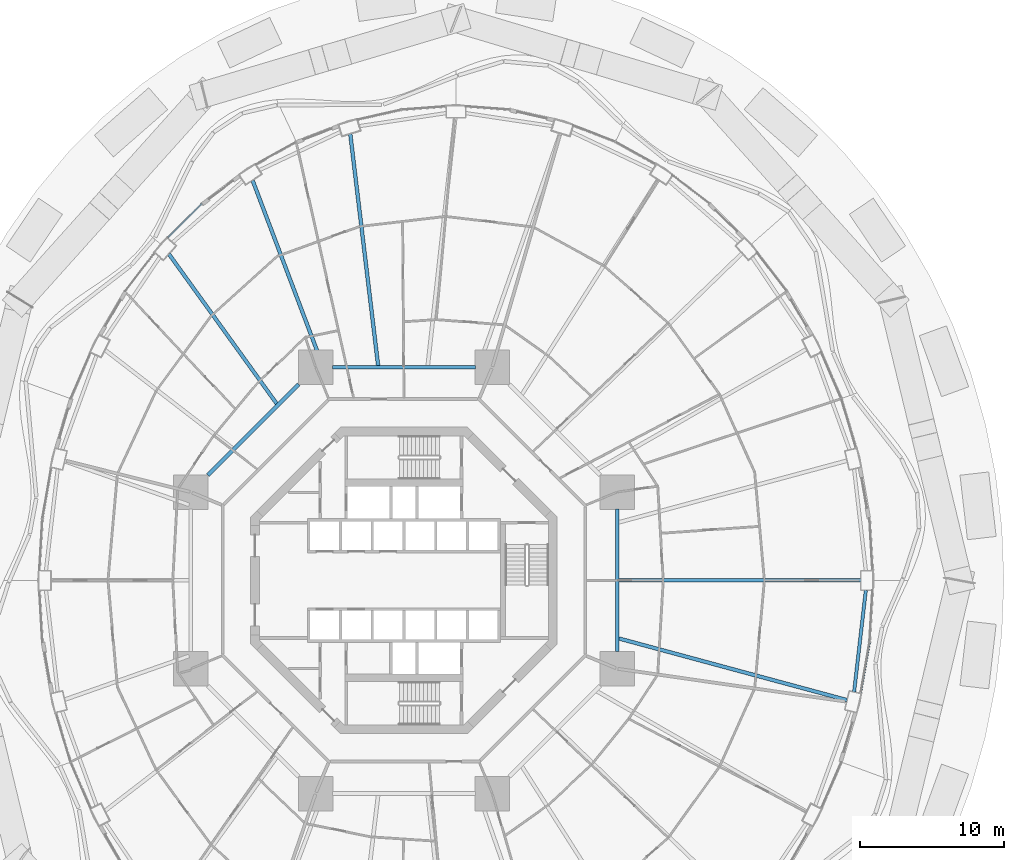
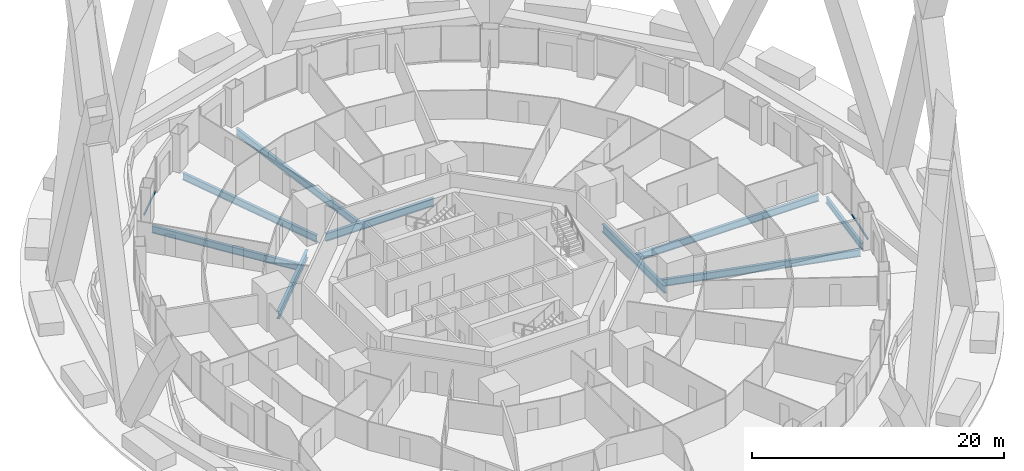
# One storey, part 20 of 42: 9 beams, 2 members, 2 elements without a shape of their own.
"""IFC4 building model written with IfcOpenShell, lengths in metres."""

from ifc_helpers import new_model, si_unit, direction, frame, origin, origin_2d, place, context, subcontext, project, spatial, rectangle, i_section, extrude, material, layer, layer_set, material_profile, profile_set, type_object, element, aggregate, save


model = new_model("IFC4")

# Units and contexts
model_context = context("Model", 3, precision=1e-05, world=origin(), true_north=direction((0.0, 1.0)))
body_context = subcontext(model_context, "Body", "Model", "MODEL_VIEW")
ifc_project = project(units=[si_unit("LENGTHUNIT", "METRE"), si_unit("AREAUNIT", "SQUARE_METRE"), si_unit("VOLUMEUNIT", "CUBIC_METRE"), si_unit("PLANEANGLEUNIT", "RADIAN"), si_unit("MASSUNIT", "GRAM", prefix="KILO")], contexts=[model_context])

# Site, building, storey
site_placement = place(None, origin())
site = spatial("IfcSite", under=ifc_project, at=site_placement, CompositionType="ELEMENT")
building_placement = place(site_placement, origin())
building = spatial("IfcBuilding", under=site, at=building_placement, Name="Nagisa Residences", CompositionType="ELEMENT")
storey_placement = place(building_placement, frame((0.0, 0.0, 27.0)))
storey = spatial("IfcBuildingStorey", under=building, at=storey_placement, Name="L05", CompositionType="ELEMENT", Elevation=27.0)

# Curtain wall, member
ifc_material_1 = material(Name="Concrete-coloured aluminium curtain wall system", Category="concrete")
ifc_layer = layer(ifc_material_1, 0.159912109375)
ifc_layer_set = layer_set([ifc_layer], Name="CW1 CURTAIN WALL")
curtain_wall_type = type_object("IfcCurtainWallType", Name="CW1 CURTAIN WALL", PredefinedType="NOTDEFINED", material=ifc_layer_set)
curtain_wall_1_placement = place(storey_placement, origin())
curtain_wall_1 = element("IfcCurtainWall", 1, at=curtain_wall_1_placement, inside=storey, type_object=curtain_wall_type, Name="cw:CW1:L05:17", PredefinedType="NOTDEFINED")
ifc_material_2 = material(Name="Concrete-coloured aluminium", Category="concrete")
ifc_material_profile_1 = material_profile(ifc_material_2, rectangle(XDim=0.1201171875, YDim=0.14990234375, at=origin_2d()), Name="CW1 TRANSOM 120x150")
ifc_profile_set_1 = profile_set([ifc_material_profile_1], Name="Concrete-coloured aluminium")
member_type = type_object("IfcMemberType", Name="CW1 TRANSOM 120x150", PredefinedType="USERDEFINED", material=ifc_profile_set_1)
member_1_placement = place(storey_placement, frame((-13.99755859375, 26.1240234375, 0.074951171875), z_axis=(-0.707839761606, -0.706373040177, 0.0), x_axis=(0.706373040177, -0.707839761606, 0.0)))
member_1 = element("IfcMember", 2, at=member_1_placement, type_object=member_type, Name="CW1 transom", ObjectType="TRANSOM", PredefinedType="USERDEFINED", context=body_context, shape_type="SweptSolid", body=[
    extrude(rectangle(XDim=0.1201171875, YDim=0.14990234375, at=origin_2d()), origin(), (0.0, 0.0, 1.0), 3.3291015625),
])
aggregate(curtain_wall_1, [member_1])

curtain_wall_2_placement = place(storey_placement, origin())
curtain_wall_2 = element("IfcCurtainWall", 3, at=curtain_wall_2_placement, inside=storey, type_object=curtain_wall_type, Name="cw:CW1:L05:46", PredefinedType="NOTDEFINED")
member_2_placement = place(storey_placement, frame((31.653564453125, -7.837646484375, 0.074951171875), z_axis=(0.172228889385, 0.985056957572, 0.0), x_axis=(-0.985056957572, 0.172228889385, 0.0)))
member_2 = element("IfcMember", 4, at=member_2_placement, type_object=member_type, Name="CW1 transom", ObjectType="TRANSOM", PredefinedType="USERDEFINED", context=body_context, shape_type="SweptSolid", body=[
    extrude(rectangle(XDim=0.1201171875, YDim=0.14990234375, at=origin_2d()), origin(), (0.0, 0.0, 1.0), 3.59765625),
])
aggregate(curtain_wall_2, [member_2])

# Beams
ifc_material_3 = material(Name="Steel ASTM A572 Gr 50", Category="steel")
ifc_material_profile_2 = material_profile(ifc_material_3, i_section(OverallWidth=0.264892578125, OverallDepth=0.7529296875, WebThickness=0.01318359375, FlangeThickness=0.01708984375, at=origin_2d()), Name="W760x147")
ifc_profile_set_2 = profile_set([ifc_material_profile_2], Name="Steel ASTM A572 Gr 50")
beam_type_1 = type_object("IfcBeamType", Name="Inner ring beam W760x147", PredefinedType="BEAM", material=ifc_profile_set_2)
beam_1_placement = place(storey_placement, frame((4.94287109375, 14.781982421875, -0.636474609375), z_axis=(-1.0, 0.0, 0.0), x_axis=(0.0, -1.0, 0.0)))
element("IfcBeam", 5, at=beam_1_placement, inside=storey, type_object=beam_type_1, Name="beam:L05:ib2", PredefinedType="BEAM", context=body_context, shape_type="SweptSolid", body=[
    extrude(i_section(OverallWidth=0.264892578125, OverallDepth=0.7529296875, WebThickness=0.01318359375, FlangeThickness=0.01708984375, at=origin_2d()), origin(), (0.0, 0.0, 1.0), 9.8857421875),
])
beam_2_placement = place(storey_placement, frame((-7.308837890625, 13.59619140625, -0.636474609375), z_axis=(-0.707106781187, -0.707106781187, 0.0), x_axis=(0.707106781187, -0.707106781187, 0.0)))
element("IfcBeam", 6, at=beam_2_placement, inside=storey, type_object=beam_type_1, Name="beam:L05:ib3", PredefinedType="BEAM", context=body_context, shape_type="SweptSolid", body=[
    extrude(i_section(OverallWidth=0.264892578125, OverallDepth=0.7529296875, WebThickness=0.01318359375, FlangeThickness=0.01708984375, at=origin_2d()), origin(), (0.0, 0.0, 1.0), 8.8916015625),
])
beam_3_placement = place(storey_placement, frame((14.781982421875, -4.94287109375, -0.636474609375), z_axis=(0.0, 1.0, 0.0), x_axis=(-1.0, 0.0, 0.0)))
element("IfcBeam", 7, at=beam_3_placement, inside=storey, type_object=beam_type_1, Name="beam:L05:ib8", PredefinedType="BEAM", context=body_context, shape_type="SweptSolid", body=[
    extrude(i_section(OverallWidth=0.264892578125, OverallDepth=0.7529296875, WebThickness=0.01318359375, FlangeThickness=0.01708984375, at=origin_2d()), origin(), (0.0, 0.0, 1.0), 9.8857421875),
])
ifc_material_4 = material(Name="Steel ASTM A572 Gr 50", Category="steel")
ifc_material_profile_3 = material_profile(ifc_material_4, i_section(OverallWidth=0.22802734375, OverallDepth=0.60302734375, WebThickness=0.010498046875, FlangeThickness=0.014892578125, at=origin_2d()), Name="W610x101")
ifc_profile_set_3 = profile_set([ifc_material_profile_3], Name="Steel ASTM A572 Gr 50")
beam_type_2 = type_object("IfcBeamType", Name="Perimeter ring beam W610x101", PredefinedType="BEAM", material=ifc_profile_set_3)
beam_4_placement = place(storey_placement, frame((31.20751953125, -7.7314453125, -0.5615234375), z_axis=(0.114673717321, 0.993403210462, 0.0), x_axis=(-0.993403210462, 0.114673717321, 0.0)))
element("IfcBeam", 8, at=beam_4_placement, inside=storey, type_object=beam_type_2, Name="beam:L05:pb24", PredefinedType="BEAM", context=body_context, shape_type="SweptSolid", body=[
    extrude(i_section(OverallWidth=0.22802734375, OverallDepth=0.60302734375, WebThickness=0.010498046875, FlangeThickness=0.014892578125, at=origin_2d()), origin(), (0.0, 0.0, 1.0), 7.09814453125),
])
ifc_material_5 = material(Name="Steel ASTM A572 Gr 50", Category="steel")
ifc_material_profile_4 = material_profile(ifc_material_5, i_section(OverallWidth=0.25390625, OverallDepth=0.68408203125, WebThickness=0.012451171875, FlangeThickness=0.018798828125, at=origin_2d()), Name="W690x140")
ifc_profile_set_4 = profile_set([ifc_material_profile_4], Name="Steel ASTM A572 Gr 50")
beam_type_3 = type_object("IfcBeamType", Name="Radial beam W690x140", PredefinedType="BEAM", material=ifc_profile_set_4)
beam_5_placement = place(storey_placement, frame((31.669921875, 0.0, -0.60205078125), z_axis=(-1.0, 0.0, 0.0), x_axis=(0.0, -1.0, 0.0)))
element("IfcBeam", 9, at=beam_5_placement, inside=storey, type_object=beam_type_3, Name="beam:L05:rb01", PredefinedType="BEAM", context=body_context, shape_type="SweptSolid", body=[
    extrude(i_section(OverallWidth=0.25390625, OverallDepth=0.68408203125, WebThickness=0.012451171875, FlangeThickness=0.018798828125, at=origin_2d()), origin(), (0.0, 0.0, 1.0), 16.775390625),
])
beam_6_placement = place(storey_placement, frame((-3.72412109375, 30.958740234375, -0.60205078125), z_axis=(0.119431411612, -0.992842453726, 0.0), x_axis=(0.992842453726, 0.119431411612, 0.0)))
element("IfcBeam", 10, at=beam_6_placement, inside=storey, type_object=beam_type_3, Name="beam:L05:rb08", PredefinedType="BEAM", context=body_context, shape_type="SweptSolid", body=[
    extrude(i_section(OverallWidth=0.25390625, OverallDepth=0.68408203125, WebThickness=0.012451171875, FlangeThickness=0.018798828125, at=origin_2d()), origin(), (0.0, 0.0, 1.0), 16.1796875),
])
beam_7_placement = place(storey_placement, frame((-10.493896484375, 27.7333984375, -0.60205078125), z_axis=(0.353887892206, -0.935287848606, 0.0), x_axis=(0.935287848606, 0.353887892206, 0.0)))
element("IfcBeam", 11, at=beam_7_placement, inside=storey, type_object=beam_type_3, Name="beam:L05:rb09", PredefinedType="BEAM", context=body_context, shape_type="SweptSolid", body=[
    extrude(i_section(OverallWidth=0.25390625, OverallDepth=0.68408203125, WebThickness=0.012451171875, FlangeThickness=0.018798828125, at=origin_2d()), origin(), (0.0, 0.0, 1.0), 13.725830078125),
])
beam_8_placement = place(storey_placement, frame((-16.29443359375, 22.62255859375, -0.60205078125), z_axis=(0.58445507622, -0.811426068031, 0.0), x_axis=(0.811426068031, 0.58445507622, 0.0)))
element("IfcBeam", 12, at=beam_8_placement, inside=storey, type_object=beam_type_3, Name="beam:L05:rb10", PredefinedType="BEAM", context=body_context, shape_type="SweptSolid", body=[
    extrude(i_section(OverallWidth=0.25390625, OverallDepth=0.68408203125, WebThickness=0.012451171875, FlangeThickness=0.018798828125, at=origin_2d()), origin(), (0.0, 0.0, 1.0), 12.78955078125),
])
beam_9_placement = place(storey_placement, frame((30.713623046875, -8.29931640625, -0.60205078125), z_axis=(-0.965375968847, 0.260862490162, 0.0), x_axis=(-0.260862490162, -0.965375968847, 0.0)))
element("IfcBeam", 13, at=beam_9_placement, inside=storey, type_object=beam_type_3, Name="beam:L05:rb24", PredefinedType="BEAM", context=body_context, shape_type="SweptSolid", body=[
    extrude(i_section(OverallWidth=0.25390625, OverallDepth=0.68408203125, WebThickness=0.012451171875, FlangeThickness=0.018798828125, at=origin_2d()), origin(), (0.0, 0.0, 1.0), 16.3857421875),
])

save(model, "model.ifc")
